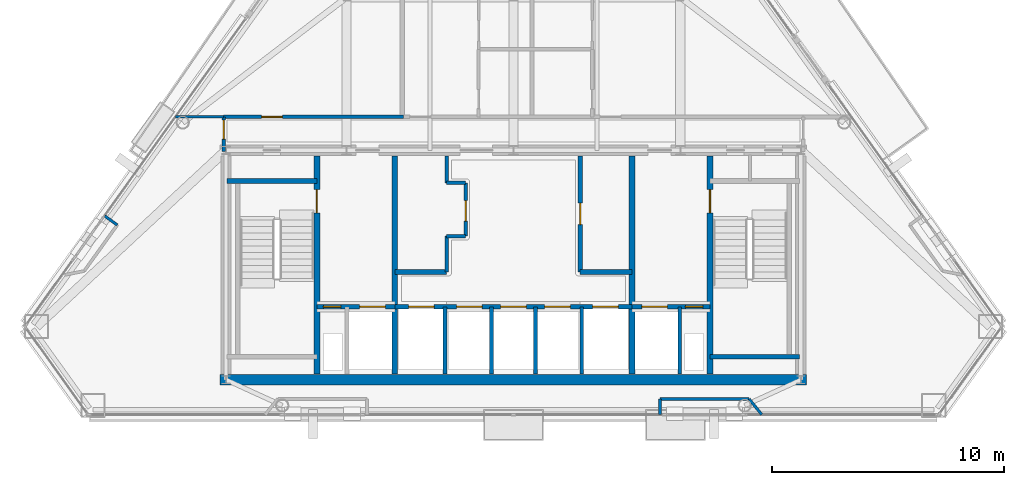
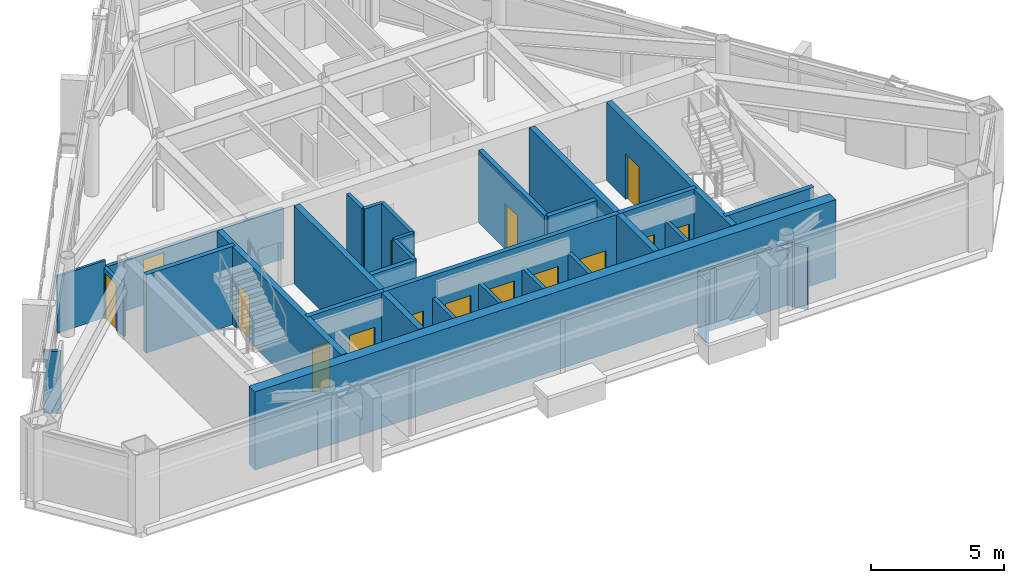
# One storey, part 7 of 11: 30 walls, 15 doors, 15 openings.
"""IFC4 building model written with IfcOpenShell, lengths in metres."""

from ifc_helpers import new_model, si_unit, direction, frame, frame_2d, origin, place, context, subcontext, project, spatial, rectangle, extrude, material, layer, layer_set, type_object, element, fill, save


model = new_model("IFC4")

# Units and contexts
model_context = context("Model", 3, precision=1e-05, world=origin(), true_north=direction((0.0, 1.0)))
body_context = subcontext(model_context, "Body", "Model", "MODEL_VIEW")
ifc_project = project(units=[si_unit("LENGTHUNIT", "METRE"), si_unit("AREAUNIT", "SQUARE_METRE"), si_unit("VOLUMEUNIT", "CUBIC_METRE"), si_unit("PLANEANGLEUNIT", "RADIAN"), si_unit("MASSUNIT", "GRAM", prefix="KILO")], contexts=[model_context])

# Site, building, storey
site_placement = place(None, origin())
site = spatial("IfcSite", under=ifc_project, at=site_placement, CompositionType="ELEMENT")
building_placement = place(site_placement, origin())
building = spatial("IfcBuilding", under=site, at=building_placement, Name="Talgorran Terracotta Tower", CompositionType="ELEMENT")
storey_placement = place(building_placement, frame((0.0, 0.0, 233.39990234375)))
storey = spatial("IfcBuildingStorey", under=building, at=storey_placement, Name="L61", CompositionType="ELEMENT", Elevation=233.39990234375)

# Walls
ifc_material_1 = material(Name="Concrete C50/60", Category="concrete")
ifc_layer_1 = layer(ifc_material_1, 0.199951171875, Name="WT_CORE_200")
ifc_layer_set_1 = layer_set([ifc_layer_1], Name="Concrete C50/60")
wall_type_1 = type_object("IfcWallType", Name="WT_CORE_200", PredefinedType="SOLIDWALL", material=ifc_layer_set_1)
for number, where, z_axis, x_axis, name in (
    (1, (-12.35009765625, -5.52001953125, 0.0), (0.0, 0.0, 1.0), (1.0, 0.0, 0.0), "WL-L61-CW-ST1-N"),
    (2, (8.47998046875, -13.10009765625, 0.0), (0.0, 0.0, 1.0), (1.0, 0.0, 0.0), "WL-L61-CW-ST2-S"),
):
    element("IfcWall", number, at=place(storey_placement, frame(where, z_axis=z_axis, x_axis=x_axis)), inside=storey, type_object=wall_type_1, Name=name, PredefinedType="SOLIDWALL", context=body_context, shape_type="SweptSolid", body=[
        extrude(rectangle(XDim=3.8701171875, YDim=0.199951171875, at=frame_2d((1.93505859375, 0.0))), origin(), (0.0, 0.0, 1.0), 3.60009765625),
    ])

# Wall, openings, doors
wall_1_placement = place(storey_placement, frame((-8.47998046875, -10.949951171875, 0.0), z_axis=(0.0, 0.0, 1.0), x_axis=(1.0, 0.0, 0.0)))
wall_1 = element("IfcWall", 3, at=wall_1_placement, inside=storey, type_object=wall_type_1, Name="WL-L61-CW-H-SBW", PredefinedType="SOLIDWALL", context=body_context, shape_type="SweptSolid", body=[
    extrude(rectangle(XDim=3.35986328125, YDim=0.199951171875, at=frame_2d((1.679931640625, 0.0))), origin(), (0.0, 0.0, 1.0), 3.60009765625),
])
opening_1_placement = place(wall_1_placement, frame((0.280029296875, 0.0, 0.0)))
opening_1 = element("IfcOpeningElement", 4, at=opening_1_placement, cuts=wall_1, Name="Opening DR-RSW", PredefinedType="OPENING", context=body_context, shape_type="SweptSolid", body=[
    extrude(rectangle(XDim=0.756, YDim=2.054048828125, at=frame_2d((0.375, 1.027099609375))), frame((0.0, 0.10986328125, 0.0), z_axis=(0.0, -1.0, 0.0), x_axis=(1.0, 0.0, 0.0)), (0.0, 0.0, 1.0), 0.219970703125),
])
opening_2_placement = place(wall_1_placement, frame((1.85009765625, 0.0, 0.0)))
opening_2 = element("IfcOpeningElement", 5, at=opening_2_placement, cuts=wall_1, Name="Opening LD-FFL1", PredefinedType="OPENING", context=body_context, shape_type="SweptSolid", body=[
    extrude(rectangle(XDim=1.10609765625, YDim=2.10409765625, at=frame_2d((0.550048828125, 1.052001953125))), frame((0.0, 0.10986328125, 0.0), z_axis=(0.0, -1.0, 0.0), x_axis=(1.0, 0.0, 0.0)), (0.0, 0.0, 1.0), 0.219970703125),
])
ifc_material_2 = material(Name="Brushed Stainless Steel Grade 304", Category="steel")
door_type_1 = type_object("IfcDoorType", Name="DT_LIFT_LD1100", OperationType="DOUBLE_DOOR_SLIDING", PredefinedType="DOOR", material=ifc_material_2)
door_1_placement = place(opening_2_placement, origin())
door_1 = element("IfcDoor", 6, at=door_1_placement, inside=storey, type_object=door_type_1, Name="L61 Lift Landing Door LD-FFL1", OperationType="DOUBLE_DOOR_SLIDING", OverallHeight=2.10009765625, OverallWidth=1.10009765625, PredefinedType="DOOR", context=body_context, shape_type="SweptSolid", body=[
    extrude(rectangle(XDim=1.10009765625, YDim=2.10009765625, at=frame_2d((0.550048828125, 1.050048828125))), frame((0.0, 0.02490234375, 0.0), z_axis=(0.0, -1.0, 0.0), x_axis=(1.0, 0.0, 0.0)), (0.0, 0.0, 1.0), 0.050048828125),
])
fill(opening_2, door_1)
ifc_material_3 = material(Name="Fire-Rated Pressed Steel", Category="steel")
door_type_2 = type_object("IfcDoorType", Name="DT_RISER_750", OperationType="NOTDEFINED", PredefinedType="DOOR", material=ifc_material_3)
door_2_placement = place(opening_1_placement, origin())
door_2 = element("IfcDoor", 7, at=door_2_placement, inside=storey, type_object=door_type_2, Name="DR-RSW", OperationType="SINGLE_SWING_LEFT", OverallHeight=2.050048828125, OverallWidth=0.75, PredefinedType="DOOR", context=body_context, shape_type="SweptSolid", body=[
    extrude(rectangle(XDim=0.75, YDim=2.050048828125, at=frame_2d((0.375, 1.02490234375))), frame((0.0, 0.02490234375, 0.0), z_axis=(0.0, -1.0, 0.0), x_axis=(1.0, 0.0, 0.0)), (0.0, 0.0, 1.0), 0.050048828125),
])
fill(opening_1, door_2)

wall_2_placement = place(storey_placement, frame((-5.1201171875, -10.949951171875, 0.0), z_axis=(0.0, 0.0, 1.0), x_axis=(1.0, 0.0, 0.0)))
wall_2 = element("IfcWall", 8, at=wall_2_placement, inside=storey, type_object=wall_type_1, Name="WL-L61-CW-H-SBC", PredefinedType="SOLIDWALL", context=body_context, shape_type="SweptSolid", body=[
    extrude(rectangle(XDim=10.240234375, YDim=0.199951171875, at=frame_2d((5.1201171875, 0.0))), origin(), (0.0, 0.0, 1.0), 3.60009765625),
])
opening_3_placement = place(wall_2_placement, frame((0.60009765625, 0.0, 0.0)))
opening_3 = element("IfcOpeningElement", 9, at=opening_3_placement, cuts=wall_2, Name="Opening LD-OB1", PredefinedType="OPENING", context=body_context, shape_type="SweptSolid", body=[
    extrude(rectangle(XDim=1.10609765625, YDim=2.10409765625, at=frame_2d((0.550048828125, 1.052001953125))), frame((0.0, 0.10986328125, 0.0), z_axis=(0.0, -1.0, 0.0), x_axis=(1.0, 0.0, 0.0)), (0.0, 0.0, 1.0), 0.219970703125),
])
opening_4_placement = place(wall_2_placement, frame((2.669921875, 0.0, 0.0)))
opening_4 = element("IfcOpeningElement", 10, at=opening_4_placement, cuts=wall_2, Name="Opening LD-PLH1", PredefinedType="OPENING", context=body_context, shape_type="SweptSolid", body=[
    extrude(rectangle(XDim=1.10609765625, YDim=2.10409765625, at=frame_2d((0.550048828125, 1.052001953125))), frame((0.0, 0.10986328125, 0.0), z_axis=(0.0, -1.0, 0.0), x_axis=(1.0, 0.0, 0.0)), (0.0, 0.0, 1.0), 0.219970703125),
])
opening_5_placement = place(wall_2_placement, frame((4.570068359375, 0.0, 0.0)))
opening_5 = element("IfcOpeningElement", 11, at=opening_5_placement, cuts=wall_2, Name="Opening LD-PLH2", PredefinedType="OPENING", context=body_context, shape_type="SweptSolid", body=[
    extrude(rectangle(XDim=1.10609765625, YDim=2.10409765625, at=frame_2d((0.550048828125, 1.052001953125))), frame((0.0, 0.10986328125, 0.0), z_axis=(0.0, -1.0, 0.0), x_axis=(1.0, 0.0, 0.0)), (0.0, 0.0, 1.0), 0.219970703125),
])
opening_6_placement = place(wall_2_placement, frame((6.469970703125, 0.0, 0.0)))
opening_6 = element("IfcOpeningElement", 12, at=opening_6_placement, cuts=wall_2, Name="Opening LD-PLH3", PredefinedType="OPENING", context=body_context, shape_type="SweptSolid", body=[
    extrude(rectangle(XDim=1.10609765625, YDim=2.10409765625, at=frame_2d((0.550048828125, 1.052001953125))), frame((0.0, 0.10986328125, 0.0), z_axis=(0.0, -1.0, 0.0), x_axis=(1.0, 0.0, 0.0)), (0.0, 0.0, 1.0), 0.219970703125),
])
opening_7_placement = place(wall_2_placement, frame((8.5400390625, 0.0, 0.0)))
opening_7 = element("IfcOpeningElement", 13, at=opening_7_placement, cuts=wall_2, Name="Opening LD-SVL1", PredefinedType="OPENING", context=body_context, shape_type="SweptSolid", body=[
    extrude(rectangle(XDim=1.10609765625, YDim=2.10409765625, at=frame_2d((0.550048828125, 1.052001953125))), frame((0.0, 0.10986328125, 0.0), z_axis=(0.0, -1.0, 0.0), x_axis=(1.0, 0.0, 0.0)), (0.0, 0.0, 1.0), 0.219970703125),
])
door_3_placement = place(opening_3_placement, origin())
door_3 = element("IfcDoor", 14, at=door_3_placement, inside=storey, type_object=door_type_1, Name="L61 Lift Landing Door LD-OB1", OperationType="DOUBLE_DOOR_SLIDING", OverallHeight=2.10009765625, OverallWidth=1.10009765625, PredefinedType="DOOR", context=body_context, shape_type="SweptSolid", body=[
    extrude(rectangle(XDim=1.10009765625, YDim=2.10009765625, at=frame_2d((0.550048828125, 1.050048828125))), frame((0.0, 0.02490234375, 0.0), z_axis=(0.0, -1.0, 0.0), x_axis=(1.0, 0.0, 0.0)), (0.0, 0.0, 1.0), 0.050048828125),
])
fill(opening_3, door_3)
door_4_placement = place(opening_4_placement, origin())
door_4 = element("IfcDoor", 15, at=door_4_placement, inside=storey, type_object=door_type_1, Name="L61 Lift Landing Door LD-PLH1", OperationType="DOUBLE_DOOR_SLIDING", OverallHeight=2.10009765625, OverallWidth=1.10009765625, PredefinedType="DOOR", context=body_context, shape_type="SweptSolid", body=[
    extrude(rectangle(XDim=1.10009765625, YDim=2.10009765625, at=frame_2d((0.550048828125, 1.050048828125))), frame((0.0, 0.02490234375, 0.0), z_axis=(0.0, -1.0, 0.0), x_axis=(1.0, 0.0, 0.0)), (0.0, 0.0, 1.0), 0.050048828125),
])
fill(opening_4, door_4)
door_5_placement = place(opening_5_placement, origin())
door_5 = element("IfcDoor", 16, at=door_5_placement, inside=storey, type_object=door_type_1, Name="L61 Lift Landing Door LD-PLH2", OperationType="DOUBLE_DOOR_SLIDING", OverallHeight=2.10009765625, OverallWidth=1.10009765625, PredefinedType="DOOR", context=body_context, shape_type="SweptSolid", body=[
    extrude(rectangle(XDim=1.10009765625, YDim=2.10009765625, at=frame_2d((0.550048828125, 1.050048828125))), frame((0.0, 0.02490234375, 0.0), z_axis=(0.0, -1.0, 0.0), x_axis=(1.0, 0.0, 0.0)), (0.0, 0.0, 1.0), 0.050048828125),
])
fill(opening_5, door_5)
door_6_placement = place(opening_6_placement, origin())
door_6 = element("IfcDoor", 17, at=door_6_placement, inside=storey, type_object=door_type_1, Name="L61 Lift Landing Door LD-PLH3", OperationType="DOUBLE_DOOR_SLIDING", OverallHeight=2.10009765625, OverallWidth=1.10009765625, PredefinedType="DOOR", context=body_context, shape_type="SweptSolid", body=[
    extrude(rectangle(XDim=1.10009765625, YDim=2.10009765625, at=frame_2d((0.550048828125, 1.050048828125))), frame((0.0, 0.02490234375, 0.0), z_axis=(0.0, -1.0, 0.0), x_axis=(1.0, 0.0, 0.0)), (0.0, 0.0, 1.0), 0.050048828125),
])
fill(opening_6, door_6)
door_7_placement = place(opening_7_placement, origin())
door_7 = element("IfcDoor", 18, at=door_7_placement, inside=storey, type_object=door_type_1, Name="L61 Lift Landing Door LD-SVL1", OperationType="DOUBLE_DOOR_SLIDING", OverallHeight=2.10009765625, OverallWidth=1.10009765625, PredefinedType="DOOR", context=body_context, shape_type="SweptSolid", body=[
    extrude(rectangle(XDim=1.10009765625, YDim=2.10009765625, at=frame_2d((0.550048828125, 1.050048828125))), frame((0.0, 0.02490234375, 0.0), z_axis=(0.0, -1.0, 0.0), x_axis=(1.0, 0.0, 0.0)), (0.0, 0.0, 1.0), 0.050048828125),
])
fill(opening_7, door_7)

wall_3_placement = place(storey_placement, frame((5.1201171875, -10.949951171875, 0.0), z_axis=(0.0, 0.0, 1.0), x_axis=(1.0, 0.0, 0.0)))
wall_3 = element("IfcWall", 19, at=wall_3_placement, inside=storey, type_object=wall_type_1, Name="WL-L61-CW-H-SBE", PredefinedType="SOLIDWALL", context=body_context, shape_type="SweptSolid", body=[
    extrude(rectangle(XDim=3.35986328125, YDim=0.199951171875, at=frame_2d((1.679931640625, 0.0))), origin(), (0.0, 0.0, 1.0), 3.60009765625),
])
opening_8_placement = place(wall_3_placement, frame((0.419921875, 0.0, 0.0)))
opening_8 = element("IfcOpeningElement", 20, at=opening_8_placement, cuts=wall_3, Name="Opening LD-FFL2", PredefinedType="OPENING", context=body_context, shape_type="SweptSolid", body=[
    extrude(rectangle(XDim=1.10609765625, YDim=2.10409765625, at=frame_2d((0.550048828125, 1.052001953125))), frame((0.0, 0.10986328125, 0.0), z_axis=(0.0, -1.0, 0.0), x_axis=(1.0, 0.0, 0.0)), (0.0, 0.0, 1.0), 0.219970703125),
])
opening_9_placement = place(wall_3_placement, frame((2.300048828125, 0.0, 0.0)))
opening_9 = element("IfcOpeningElement", 21, at=opening_9_placement, cuts=wall_3, Name="Opening DR-RSE", PredefinedType="OPENING", context=body_context, shape_type="SweptSolid", body=[
    extrude(rectangle(XDim=0.756, YDim=2.054048828125, at=frame_2d((0.375, 1.027099609375))), frame((0.0, 0.10986328125, 0.0), z_axis=(0.0, -1.0, 0.0), x_axis=(1.0, 0.0, 0.0)), (0.0, 0.0, 1.0), 0.219970703125),
])
door_8_placement = place(opening_8_placement, origin())
door_8 = element("IfcDoor", 22, at=door_8_placement, inside=storey, type_object=door_type_1, Name="L61 Lift Landing Door LD-FFL2", OperationType="DOUBLE_DOOR_SLIDING", OverallHeight=2.10009765625, OverallWidth=1.10009765625, PredefinedType="DOOR", context=body_context, shape_type="SweptSolid", body=[
    extrude(rectangle(XDim=1.10009765625, YDim=2.10009765625, at=frame_2d((0.550048828125, 1.050048828125))), frame((0.0, 0.02490234375, 0.0), z_axis=(0.0, -1.0, 0.0), x_axis=(1.0, 0.0, 0.0)), (0.0, 0.0, 1.0), 0.050048828125),
])
fill(opening_8, door_8)
door_9_placement = place(opening_9_placement, origin())
door_9 = element("IfcDoor", 23, at=door_9_placement, inside=storey, type_object=door_type_2, Name="DR-RSE", OperationType="SINGLE_SWING_RIGHT", OverallHeight=2.050048828125, OverallWidth=0.75, PredefinedType="DOOR", context=body_context, shape_type="SweptSolid", body=[
    extrude(rectangle(XDim=0.75, YDim=2.050048828125, at=frame_2d((0.375, 1.02490234375))), frame((0.0, 0.02490234375, 0.0), z_axis=(0.0, -1.0, 0.0), x_axis=(1.0, 0.0, 0.0)), (0.0, 0.0, 1.0), 0.050048828125),
])
fill(opening_9, door_9)

# Wall
wall_4_placement = place(storey_placement, frame((-5.1201171875, -9.449951171875, 0.0), z_axis=(0.0, 0.0, 1.0), x_axis=(1.0, 0.0, 0.0)))
element("IfcWall", 24, at=wall_4_placement, inside=storey, type_object=wall_type_1, Name="WL-L61-CW-H-W4", PredefinedType="SOLIDWALL", context=body_context, shape_type="SweptSolid", body=[
    extrude(rectangle(XDim=2.240234375, YDim=0.199951171875, at=frame_2d((1.1201171875, 0.0))), origin(), (0.0, 0.0, 1.0), 3.34521484375),
])

# Wall, opening, door
wall_5_placement = place(storey_placement, frame((2.8798828125, -9.449951171875, 0.0), z_axis=(0.0, 0.0, 1.0), x_axis=(0.0, 1.0, 0.0)))
wall_5 = element("IfcWall", 25, at=wall_5_placement, inside=storey, type_object=wall_type_1, Name="WL-L61-CW-V-E3", PredefinedType="SOLIDWALL", context=body_context, shape_type="SweptSolid", body=[
    extrude(rectangle(XDim=5.0, YDim=0.199951171875, at=frame_2d((2.5, 0.0))), origin(), (0.0, 0.0, 1.0), 3.34521484375),
])
opening_10_placement = place(wall_5_placement, frame((2.050048828125, 0.0, 0.0)))
opening_10 = element("IfcOpeningElement", 26, at=opening_10_placement, cuts=wall_5, Name="Opening DR-FRPLM-A", PredefinedType="OPENING", context=body_context, shape_type="SweptSolid", body=[
    extrude(rectangle(XDim=0.925921875, YDim=2.10409765625, at=frame_2d((0.4599609375, 1.052001953125))), frame((0.0, 0.10986328125, 0.0), z_axis=(0.0, -1.0, 0.0), x_axis=(1.0, 0.0, 0.0)), (0.0, 0.0, 1.0), 0.219970703125),
])
ifc_material_4 = material(Name="Solid-Core Painted Timber", Category="wood")
door_type_3 = type_object("IfcDoorType", Name="DT_INT_920", OperationType="NOTDEFINED", PredefinedType="DOOR", material=ifc_material_4)
door_10_placement = place(opening_10_placement, origin())
door_10 = element("IfcDoor", 27, at=door_10_placement, inside=storey, type_object=door_type_3, Name="DR-FRPLM-A", OperationType="SINGLE_SWING_RIGHT", OverallHeight=2.10009765625, OverallWidth=0.919921875, PredefinedType="DOOR", context=body_context, shape_type="SweptSolid", body=[
    extrude(rectangle(XDim=0.919921875, YDim=2.10009765625, at=frame_2d((0.4599609375, 1.050048828125))), frame((0.0, 0.02490234375, 0.0), z_axis=(0.0, -1.0, 0.0), x_axis=(1.0, 0.0, 0.0)), (0.0, 0.0, 1.0), 0.050048828125),
])
fill(opening_10, door_10)

# Wall
wall_6_placement = place(storey_placement, frame((2.8798828125, -9.449951171875, 0.0), z_axis=(0.0, 0.0, 1.0), x_axis=(1.0, 0.0, 0.0)))
element("IfcWall", 28, at=wall_6_placement, inside=storey, type_object=wall_type_1, Name="WL-L61-CW-H-E4", PredefinedType="SOLIDWALL", context=body_context, shape_type="SweptSolid", body=[
    extrude(rectangle(XDim=2.240234375, YDim=0.199951171875, at=frame_2d((1.1201171875, 0.0))), origin(), (0.0, 0.0, 1.0), 3.34521484375),
])

# Wall, opening, door
ifc_layer_2 = layer(ifc_material_1, 0.25, Name="WT_CORE_250")
ifc_layer_set_2 = layer_set([ifc_layer_2], Name="Concrete C50/60")
wall_type_2 = type_object("IfcWallType", Name="WT_CORE_250", PredefinedType="SHEAR", material=ifc_layer_set_2)
wall_7_placement = place(storey_placement, frame((-8.47998046875, -13.85009765625, 0.0), z_axis=(0.0, 0.0, 1.0), x_axis=(0.0, 1.0, 0.0)))
wall_7 = element("IfcWall", 29, at=wall_7_placement, inside=storey, type_object=wall_type_2, Name="WL-L61-CW-V-W1", PredefinedType="SHEAR", context=body_context, shape_type="SweptSolid", body=[
    extrude(rectangle(XDim=9.400146484375, YDim=0.25, at=frame_2d((4.7001953125, 0.0))), origin(), (0.0, 0.0, 1.0), 3.60009765625),
])
opening_11_placement = place(wall_7_placement, frame((6.949951171875, 0.0, 0.0)))
opening_11 = element("IfcOpeningElement", 30, at=opening_11_placement, cuts=wall_7, Name="Opening DR-ST01", PredefinedType="OPENING", context=body_context, shape_type="SweptSolid", body=[
    extrude(rectangle(XDim=1.006, YDim=2.10409765625, at=frame_2d((0.5, 1.052001953125))), frame((0.0, 0.135009765625, 0.0), z_axis=(0.0, -1.0, 0.0), x_axis=(1.0, 0.0, 0.0)), (0.0, 0.0, 1.0), 0.27001953125),
])
door_type_4 = type_object("IfcDoorType", Name="DT_FIRE_1000", OperationType="NOTDEFINED", PredefinedType="DOOR", material=ifc_material_3)
door_11_placement = place(opening_11_placement, origin())
door_11 = element("IfcDoor", 31, at=door_11_placement, inside=storey, type_object=door_type_4, Name="DR-ST01", OperationType="SINGLE_SWING_LEFT", OverallHeight=2.10009765625, OverallWidth=1.0, PredefinedType="DOOR", context=body_context, shape_type="SweptSolid", body=[
    extrude(rectangle(XDim=1.0, YDim=2.10009765625, at=frame_2d((0.5, 1.050048828125))), frame((0.0, 0.02490234375, 0.0), z_axis=(0.0, -1.0, 0.0), x_axis=(1.0, 0.0, 0.0)), (0.0, 0.0, 1.0), 0.050048828125),
])
fill(opening_11, door_11)

wall_8_placement = place(storey_placement, frame((8.47998046875, -13.85009765625, 0.0), z_axis=(0.0, 0.0, 1.0), x_axis=(0.0, 1.0, 0.0)))
wall_8 = element("IfcWall", 32, at=wall_8_placement, inside=storey, type_object=wall_type_2, Name="WL-L61-CW-V-E1", PredefinedType="SHEAR", context=body_context, shape_type="SweptSolid", body=[
    extrude(rectangle(XDim=9.400146484375, YDim=0.25, at=frame_2d((4.7001953125, 0.0))), origin(), (0.0, 0.0, 1.0), 3.60009765625),
])
opening_12_placement = place(wall_8_placement, frame((6.949951171875, 0.0, 0.0)))
opening_12 = element("IfcOpeningElement", 33, at=opening_12_placement, cuts=wall_8, Name="Opening DR-ST02", PredefinedType="OPENING", context=body_context, shape_type="SweptSolid", body=[
    extrude(rectangle(XDim=1.006, YDim=2.10409765625, at=frame_2d((0.5, 1.052001953125))), frame((0.0, 0.135009765625, 0.0), z_axis=(0.0, -1.0, 0.0), x_axis=(1.0, 0.0, 0.0)), (0.0, 0.0, 1.0), 0.27001953125),
])
door_12_placement = place(opening_12_placement, origin())
door_12 = element("IfcDoor", 34, at=door_12_placement, inside=storey, type_object=door_type_4, Name="DR-ST02", OperationType="SINGLE_SWING_RIGHT", OverallHeight=2.10009765625, OverallWidth=1.0, PredefinedType="DOOR", context=body_context, shape_type="SweptSolid", body=[
    extrude(rectangle(XDim=1.0, YDim=2.10009765625, at=frame_2d((0.5, 1.050048828125))), frame((0.0, 0.02490234375, 0.0), z_axis=(0.0, -1.0, 0.0), x_axis=(1.0, 0.0, 0.0)), (0.0, 0.0, 1.0), 0.050048828125),
])
fill(opening_12, door_12)

# Walls
for number, where, z_axis, x_axis, name in (
    (35, (-5.1201171875, -13.85009765625, 0.0), (0.0, 0.0, 1.0), (0.0, 1.0, 0.0), "WL-L61-CW-V-W2"),
    (36, (5.1201171875, -13.85009765625, 0.0), (0.0, 0.0, 1.0), (0.0, 1.0, 0.0), "WL-L61-CW-V-E2"),
):
    element("IfcWall", number, at=place(storey_placement, frame(where, z_axis=z_axis, x_axis=x_axis)), inside=storey, type_object=wall_type_2, Name=name, PredefinedType="SHEAR", context=body_context, shape_type="SweptSolid", body=[
        extrude(rectangle(XDim=9.400146484375, YDim=0.25, at=frame_2d((4.7001953125, 0.0))), origin(), (0.0, 0.0, 1.0), 3.60009765625),
    ])
ifc_material_5 = material(Name="Concrete C65/80", Category="concrete")
ifc_layer_3 = layer(ifc_material_5, 0.449951171875, Name="WT_CORE_EXT")
ifc_layer_set_3 = layer_set([ifc_layer_3], Name="Concrete C65/80")
wall_type_3 = type_object("IfcWallType", Name="WT_CORE_EXT", PredefinedType="SHEAR", material=ifc_layer_set_3)
wall_9_placement = place(storey_placement, frame((-12.64990234375, -14.10009765625, 0.0), z_axis=(0.0, 0.0, 1.0), x_axis=(1.0, 0.0, 0.0)))
element("IfcWall", 37, at=wall_9_placement, inside=storey, type_object=wall_type_3, Name="WL-L61-CW-OUT-S", PredefinedType="SHEAR", context=body_context, shape_type="SweptSolid", body=[
    extrude(rectangle(XDim=25.2998046875, YDim=0.449951171875, at=frame_2d((12.64990234375, 0.0))), origin(), (0.0, 0.0, 1.0), 3.60009765625),
])
ifc_material_6 = material(Name="Fire-Rated Steel Stud Plasterboard", Category="steel")
ifc_layer_4 = layer(ifc_material_6, 0.14990234375, Name="WT_FIRE_150")
ifc_layer_set_4 = layer_set([ifc_layer_4], Name="Fire-Rated Steel Stud Plasterboard")
wall_type_4 = type_object("IfcWallType", Name="WT_FIRE_150", PredefinedType="PARTITIONING", material=ifc_layer_set_4)
wall_10_placement = place(storey_placement, frame((-2.8798828125, -9.449951171875, 0.0), z_axis=(0.0, 0.0, 1.0), x_axis=(0.0, 1.0, 0.0)))
element("IfcWall", 38, at=wall_10_placement, inside=storey, type_object=wall_type_4, Name="WL-L61-CW-V-W3A", PredefinedType="PARTITIONING", context=body_context, shape_type="SweptSolid", body=[
    extrude(rectangle(XDim=1.550048828125, YDim=0.14990234375, at=frame_2d((0.77490234375, 0.0))), origin(), (0.0, 0.0, 1.0), 3.34521484375),
])
wall_11_placement = place(storey_placement, frame((-2.8798828125, -7.89990234375, 0.0), z_axis=(0.0, 0.0, 1.0), x_axis=(1.0, 0.0, 0.0)))
element("IfcWall", 39, at=wall_11_placement, inside=storey, type_object=wall_type_4, Name="WL-L61-CW-H-W3B", PredefinedType="PARTITIONING", context=body_context, shape_type="SweptSolid", body=[
    extrude(rectangle(XDim=0.81982421875, YDim=0.14990234375, at=frame_2d((0.409912109375, 0.0))), origin(), (0.0, 0.0, 1.0), 3.34521484375),
])

# Wall, opening, door
wall_12_placement = place(storey_placement, frame((-2.06005859375, -7.89990234375, 0.0), z_axis=(0.0, 0.0, 1.0), x_axis=(0.0, 1.0, 0.0)))
wall_12 = element("IfcWall", 40, at=wall_12_placement, inside=storey, type_object=wall_type_4, Name="WL-L61-CW-V-W3C", PredefinedType="PARTITIONING", context=body_context, shape_type="SweptSolid", body=[
    extrude(rectangle(XDim=2.2998046875, YDim=0.14990234375, at=frame_2d((1.14990234375, 0.0))), origin(), (0.0, 0.0, 1.0), 3.34521484375),
])
opening_13_placement = place(wall_12_placement, frame((0.64990234375, 0.0, 0.0)))
opening_13 = element("IfcOpeningElement", 41, at=opening_13_placement, cuts=wall_12, Name="Opening DR-FRPLL-B", PredefinedType="OPENING", context=body_context, shape_type="SweptSolid", body=[
    extrude(rectangle(XDim=0.8858828125, YDim=2.10409765625, at=frame_2d((0.43994140625, 1.052001953125))), frame((0.0, 0.0849609375, 0.0), z_axis=(0.0, -1.0, 0.0), x_axis=(1.0, 0.0, 0.0)), (0.0, 0.0, 1.0), 0.169921875),
])
door_type_5 = type_object("IfcDoorType", Name="DT_INT_880", OperationType="NOTDEFINED", PredefinedType="DOOR", material=ifc_material_4)
door_13_placement = place(opening_13_placement, origin())
door_13 = element("IfcDoor", 42, at=door_13_placement, inside=storey, type_object=door_type_5, Name="DR-FRPLL-B", OperationType="SINGLE_SWING_LEFT", OverallHeight=2.10009765625, OverallWidth=0.8798828125, PredefinedType="DOOR", context=body_context, shape_type="SweptSolid", body=[
    extrude(rectangle(XDim=0.8798828125, YDim=2.10009765625, at=frame_2d((0.43994140625, 1.050048828125))), frame((0.0, 0.02490234375, 0.0), z_axis=(0.0, -1.0, 0.0), x_axis=(1.0, 0.0, 0.0)), (0.0, 0.0, 1.0), 0.050048828125),
])
fill(opening_13, door_13)

# Walls
wall_13_placement = place(storey_placement, frame((-2.8798828125, -5.60009765625, 0.0), z_axis=(0.0, 0.0, 1.0), x_axis=(1.0, 0.0, 0.0)))
element("IfcWall", 43, at=wall_13_placement, inside=storey, type_object=wall_type_4, Name="WL-L61-CW-H-W3D", PredefinedType="PARTITIONING", context=body_context, shape_type="SweptSolid", body=[
    extrude(rectangle(XDim=0.81982421875, YDim=0.14990234375, at=frame_2d((0.409912109375, 0.0))), origin(), (0.0, 0.0, 1.0), 3.34521484375),
])
wall_14_placement = place(storey_placement, frame((-2.8798828125, -5.60009765625, 0.0), z_axis=(0.0, 0.0, 1.0), x_axis=(0.0, 1.0, 0.0)))
element("IfcWall", 44, at=wall_14_placement, inside=storey, type_object=wall_type_4, Name="WL-L61-CW-V-W3E", PredefinedType="PARTITIONING", context=body_context, shape_type="SweptSolid", body=[
    extrude(rectangle(XDim=1.150146484375, YDim=0.14990234375, at=frame_2d((0.5751953125, 0.0))), origin(), (0.0, 0.0, 1.0), 3.34521484375),
])

# Wall, opening, door
wall_15_placement = place(storey_placement, frame((-12.5, -2.760009765625, 0.0), z_axis=(0.0, 0.0, 1.0), x_axis=(1.0, 0.0, 0.0)))
wall_15 = element("IfcWall", 45, at=wall_15_placement, inside=storey, type_object=wall_type_4, Name="WL-L61-W-L61-R03", PredefinedType="PARTITIONING", context=body_context, shape_type="SweptSolid", body=[
    extrude(rectangle(XDim=7.760009765625, YDim=0.14990234375, at=frame_2d((3.8798828125, 0.0))), origin(), (0.0, 0.0, 1.0), 2.320068359375),
])
opening_14_placement = place(wall_15_placement, frame((1.635498046875, 0.0, 0.0)))
opening_14 = element("IfcOpeningElement", 46, at=opening_14_placement, cuts=wall_15, Name="Opening DR-L61-R03", PredefinedType="OPENING", context=body_context, shape_type="SweptSolid", body=[
    extrude(rectangle(XDim=0.90590234375, YDim=2.10409765625, at=frame_2d((0.449951171875, 1.052001953125))), frame((0.0, 0.0849609375, 0.0), z_axis=(0.0, -1.0, 0.0), x_axis=(1.0, 0.0, 0.0)), (0.0, 0.0, 1.0), 0.169921875),
])
ifc_material_7 = material(Name="Fire-Rated Timber Core", Category="wood")
door_type_6 = type_object("IfcDoorType", Name="DT_FIRE_900", OperationType="NOTDEFINED", PredefinedType="DOOR", material=ifc_material_7)
door_14_placement = place(opening_14_placement, origin())
door_14 = element("IfcDoor", 47, at=door_14_placement, inside=storey, type_object=door_type_6, Name="DR-L61-R03", OperationType="SINGLE_SWING_LEFT", OverallHeight=2.10009765625, OverallWidth=0.89990234375, PredefinedType="DOOR", context=body_context, shape_type="SweptSolid", body=[
    extrude(rectangle(XDim=0.89990234375, YDim=2.10009765625, at=frame_2d((0.449951171875, 1.050048828125))), frame((0.0, 0.02490234375, 0.0), z_axis=(0.0, -1.0, 0.0), x_axis=(1.0, 0.0, 0.0)), (0.0, 0.0, 1.0), 0.050048828125),
])
fill(opening_14, door_14)

wall_16_placement = place(storey_placement, frame((-12.5, -4.239990234375, 0.0), z_axis=(0.0, 0.0, 1.0), x_axis=(0.0, 1.0, 0.0)))
wall_16 = element("IfcWall", 48, at=wall_16_placement, inside=storey, type_object=wall_type_4, Name="WL-L61-W-L61-R01", PredefinedType="PARTITIONING", context=body_context, shape_type="SweptSolid", body=[
    extrude(rectangle(XDim=1.47998046875, YDim=0.14990234375, at=frame_2d((0.739990234375, 0.0))), origin(), (0.0, 0.0, 1.0), 2.320068359375),
])
opening_15_placement = place(wall_16_placement, frame((0.521728515625, 0.0, 0.0)))
opening_15 = element("IfcOpeningElement", 49, at=opening_15_placement, cuts=wall_16, Name="Opening DR-L61-R01", PredefinedType="OPENING", context=body_context, shape_type="SweptSolid", body=[
    extrude(rectangle(XDim=0.826068359375, YDim=2.10409765625, at=frame_2d((0.41015625, 1.052001953125))), frame((0.0, 0.0849609375, 0.0), z_axis=(0.0, -1.0, 0.0), x_axis=(1.0, 0.0, 0.0)), (0.0, 0.0, 1.0), 0.169921875),
])
ifc_material_8 = material(Name="Moisture-Resistant Solid Timber", Category="wood")
door_type_7 = type_object("IfcDoorType", Name="DT_INT_820", OperationType="NOTDEFINED", PredefinedType="DOOR", material=ifc_material_8)
door_15_placement = place(opening_15_placement, origin())
door_15 = element("IfcDoor", 50, at=door_15_placement, inside=storey, type_object=door_type_7, Name="DR-L61-R01", OperationType="SINGLE_SWING_LEFT", OverallHeight=2.10009765625, OverallWidth=0.820068359375, PredefinedType="DOOR", context=body_context, shape_type="SweptSolid", body=[
    extrude(rectangle(XDim=0.820068359375, YDim=2.10009765625, at=frame_2d((0.41015625, 1.050048828125))), frame((0.0, 0.02490234375, 0.0), z_axis=(0.0, -1.0, 0.0), x_axis=(1.0, 0.0, 0.0)), (0.0, 0.0, 1.0), 0.050048828125),
])
fill(opening_15, door_15)

# Walls
ifc_material_9 = material(Name="Lightweight Steel Stud Partition", Category="steel")
ifc_layer_5 = layer(ifc_material_9, 0.10498046875, Name="WT_PART_110")
ifc_layer_set_5 = layer_set([ifc_layer_5], Name="Lightweight Steel Stud Partition")
wall_type_5 = type_object("IfcWallType", Name="WT_PART_110", PredefinedType="PARTITIONING", material=ifc_layer_set_5)
wall_17_placement = place(storey_placement, frame((-14.58837890625, -2.760009765625, 0.0), z_axis=(0.0, 0.0, 1.0), x_axis=(1.0, 0.0, 0.0)))
element("IfcWall", 51, at=wall_17_placement, inside=storey, type_object=wall_type_5, Name="WL-L61-W-L61-R08", PredefinedType="PARTITIONING", context=body_context, shape_type="SweptSolid", body=[
    extrude(rectangle(XDim=2.08837890625, YDim=0.10498046875, at=frame_2d((1.044189453125, 0.0))), origin(), (0.0, 0.0, 1.0), 2.6201171875),
])
ifc_material_10 = material(Name="Insulated Steel Stud Plasterboard", Category="steel")
ifc_layer_6 = layer(ifc_material_10, 0.1201171875, Name="WT_PART_120")
ifc_layer_set_6 = layer_set([ifc_layer_6], Name="Insulated Steel Stud Plasterboard")
wall_type_6 = type_object("IfcWallType", Name="WT_PART_120", PredefinedType="PARTITIONING", material=ifc_layer_set_6)
wall_18_placement = place(storey_placement, frame((6.322509765625, -14.927734375, 0.0), z_axis=(0.0, 0.0, 1.0), x_axis=(1.0, 0.0, 0.0)))
element("IfcWall", 52, at=wall_18_placement, inside=storey, type_object=wall_type_6, Name="WL-L61-BW-L61-06", PredefinedType="PARTITIONING", context=body_context, shape_type="SweptSolid", body=[
    extrude(rectangle(XDim=3.844970703125, YDim=0.1201171875, at=frame_2d((1.92236328125, 0.0))), origin(), (0.0, 0.0, 1.0), 2.863037109375),
])
wall_19_placement = place(storey_placement, frame((10.16748046875, -14.927734375, 0.0), z_axis=(0.0, 0.0, 1.0), x_axis=(0.629344812131, -0.77712618502, 0.0)))
element("IfcWall", 53, at=wall_19_placement, inside=storey, type_object=wall_type_6, Name="WL-L61-BW-L61-04", PredefinedType="PARTITIONING", context=body_context, shape_type="SweptSolid", body=[
    extrude(rectangle(XDim=0.8623046875, YDim=0.1201171875, at=frame_2d((0.43115234375, 0.0))), origin(), (0.0, 0.0, 1.0), 2.863037109375),
])
wall_20_placement = place(storey_placement, frame((6.322509765625, -15.597900390625, 0.0), z_axis=(0.0, 0.0, 1.0), x_axis=(0.0, 1.0, 0.0)))
element("IfcWall", 54, at=wall_20_placement, inside=storey, type_object=wall_type_6, Name="WL-L61-BW-L61-05", PredefinedType="PARTITIONING", context=body_context, shape_type="SweptSolid", body=[
    extrude(rectangle(XDim=0.670166015625, YDim=0.1201171875, at=frame_2d((0.3349609375, 0.0))), origin(), (0.0, 0.0, 1.0), 2.863037109375),
])
wall_21_placement = place(storey_placement, frame((-17.63720703125, -7.029541015625, 0.0), z_axis=(0.0, 0.0, 1.0), x_axis=(0.812673311452, -0.582719562786, 0.0)))
element("IfcWall", 55, at=wall_21_placement, inside=storey, type_object=wall_type_6, Name="WL-L61-BW-L61-07", PredefinedType="PARTITIONING", context=body_context, shape_type="SweptSolid", body=[
    extrude(rectangle(XDim=0.669921875, YDim=0.1201171875, at=frame_2d((0.3349609375, 0.0))), origin(), (0.0, 0.0, 1.0), 2.863037109375),
])
ifc_material_11 = material(Name="Fire-Rated Shaftwall")
ifc_layer_7 = layer(ifc_material_11, 0.159912109375, Name="WT_PART_150")
ifc_layer_set_7 = layer_set([ifc_layer_7], Name="Fire-Rated Shaftwall")
wall_type_7 = type_object("IfcWallType", Name="WT_PART_150", PredefinedType="PARTITIONING", material=ifc_layer_set_7)
for number, where, z_axis, x_axis, name in (
    (56, (7.179931640625, -13.85009765625, 0.0), (0.0, 0.0, 1.0), (0.0, 1.0, 0.0), "WL-L61-CW-RSE"),
    (57, (-2.949951171875, -13.85009765625, 0.0), (0.0, 0.0, 1.0), (0.0, 1.0, 0.0), "WL-L61-CW-OB-E"),
    (58, (2.949951171875, -13.85009765625, 0.0), (0.0, 0.0, 1.0), (0.0, 1.0, 0.0), "WL-L61-CW-SV-W"),
    (59, (-0.949951171875, -13.85009765625, 0.0), (0.0, 0.0, 1.0), (0.0, 1.0, 0.0), "WL-L61-CW-PLH-D1"),
    (60, (0.949951171875, -13.85009765625, 0.0), (0.0, 0.0, 1.0), (0.0, 1.0, 0.0), "WL-L61-CW-PLH-D2"),
):
    element("IfcWall", number, at=place(storey_placement, frame(where, z_axis=z_axis, x_axis=x_axis)), inside=storey, type_object=wall_type_7, Name=name, PredefinedType="PARTITIONING", context=body_context, shape_type="SweptSolid", body=[
        extrude(rectangle(XDim=2.900146484375, YDim=0.159912109375, at=frame_2d((1.4501953125, 0.0))), origin(), (0.0, 0.0, 1.0), 2.570068359375),
    ])

save(model, "model.ifc")
